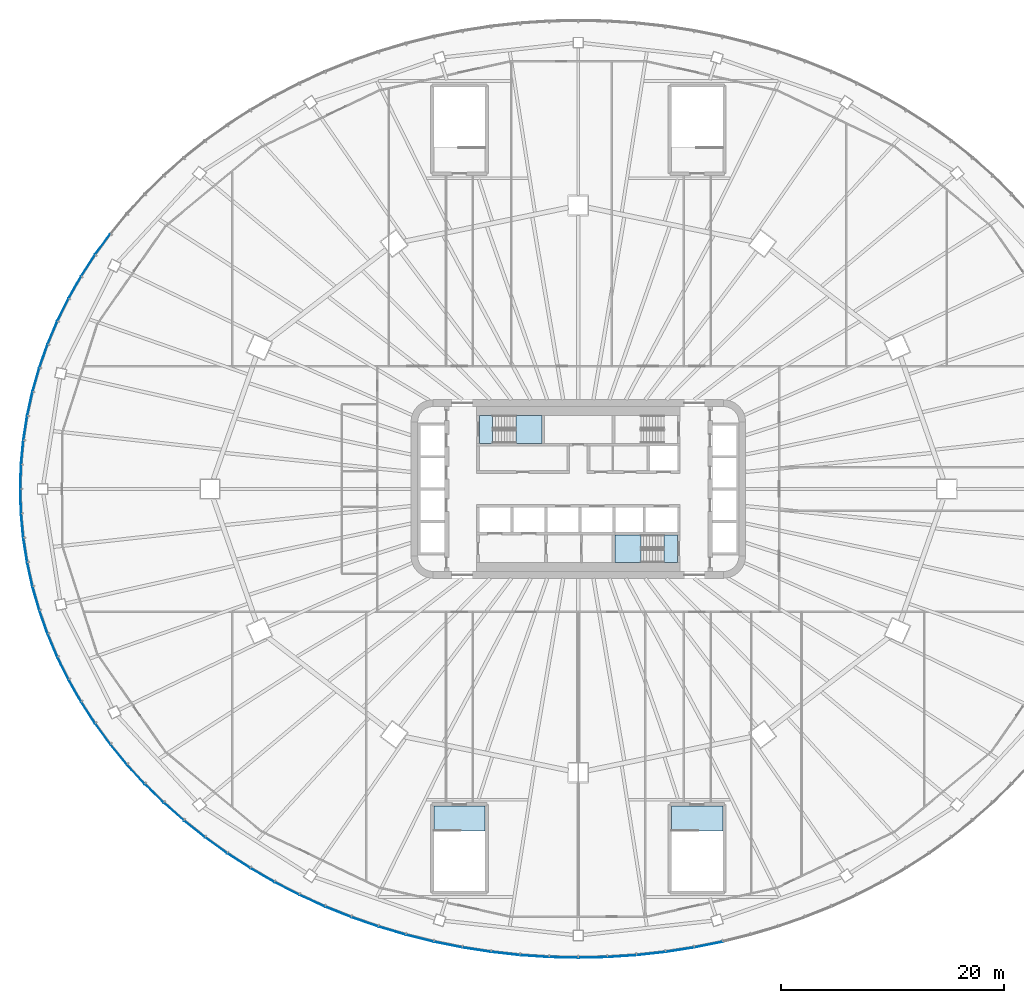
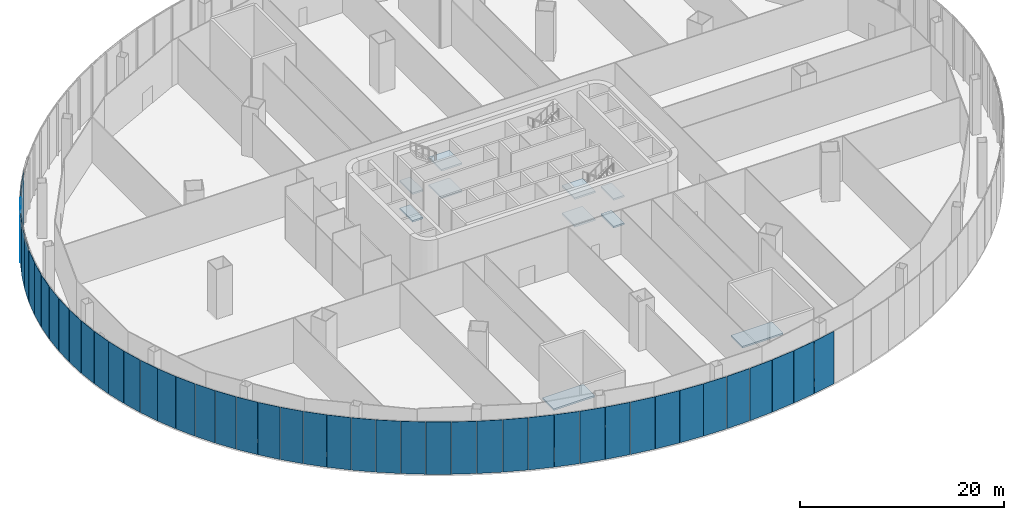
# One storey, part 16 of 33: 46 plates, 10 slabs, 12 elements without a shape of their own.
"""IFC4 building model written with IfcOpenShell, lengths in metres."""

from ifc_helpers import new_model, si_unit, direction, frame, origin, place, context, subcontext, project, spatial, polyline, outline, extrude, material, layer, layer_set, type_object, element, aggregate, save


model = new_model("IFC4")

# Units and contexts
model_context = context("Model", 3, precision=1e-05, world=origin(), true_north=direction((0.0, 1.0)))
body_context = subcontext(model_context, "Body", "Model", "MODEL_VIEW")
ifc_project = project(units=[si_unit("LENGTHUNIT", "METRE"), si_unit("AREAUNIT", "SQUARE_METRE"), si_unit("VOLUMEUNIT", "CUBIC_METRE"), si_unit("PLANEANGLEUNIT", "RADIAN"), si_unit("MASSUNIT", "GRAM", prefix="KILO")], contexts=[model_context])

# Site, building, storey
site_placement = place(None, origin())
site = spatial("IfcSite", under=ifc_project, at=site_placement, CompositionType="ELEMENT")
building_placement = place(site_placement, origin())
building = spatial("IfcBuilding", under=site, at=building_placement, Name="Sahrelin Media Tower", CompositionType="ELEMENT")
storey_placement = place(building_placement, frame((0.0, 0.0, 37.39990234375)))
storey = spatial("IfcBuildingStorey", under=building, at=storey_placement, Name="L05", CompositionType="ELEMENT", Elevation=37.39990234375)

# Curtain wall, plate
ifc_material_1 = material(Name="Champagne anodised aluminium 6063-T6", Category="aluminium")
ifc_layer_1 = layer(ifc_material_1, 0.14990234375)
ifc_layer_set_1 = layer_set([ifc_layer_1], Name="Podium ribbon curtain wall")
curtain_wall_type = type_object("IfcCurtainWallType", Name="Podium ribbon curtain wall", PredefinedType="NOTDEFINED", material=ifc_layer_set_1)
curtain_wall_1_placement = place(storey_placement, frame((-35.355224609375, 29.698486328125, 0.0), z_axis=(0.0, 0.0, 1.0), x_axis=(1.0, 0.0, 0.0)))
curtain_wall_1 = element("IfcCurtainWall", 1, at=curtain_wall_1_placement, inside=storey, type_object=curtain_wall_type, Name="L05:CW:L05-P09", PredefinedType="NOTDEFINED")
ifc_material_2 = material(Name="Clear low-iron glazing", Category="glass")
ifc_layer_2 = layer(ifc_material_2, 0.050048828125)
ifc_layer_set_2 = layer_set([ifc_layer_2], Name="Glazing panel 50 mm CW5")
plate_type = type_object("IfcPlateType", Name="Glazing panel 50 mm CW5", PredefinedType="CURTAIN_PANEL", material=ifc_layer_set_2)
plate_1_placement = place(storey_placement, frame((-41.97900390625, 22.84619140625, 0.0), z_axis=(-0.807851823107, 0.589385639376, 0.0), x_axis=(-0.589385639376, -0.807851823107, 0.0)))
plate_1 = element("IfcPlate", 2, at=plate_1_placement, type_object=plate_type, Name="L05:CWP5a:L05-P09", PredefinedType="CURTAIN_PANEL", context=body_context, shape_type="SweptSolid", body=[
    extrude(outline(polyline([(0.0, 0.0), (2.270751953125, 0.0), (2.270751953125, 6.25), (0.0, 6.25), (0.0, 0.0)])), origin(), (0.0, 0.0, -1.0), 0.050048828125),
])
aggregate(curtain_wall_1, [plate_1])

# Curtain wall, plates
curtain_wall_2_placement = place(storey_placement, frame((-43.30126953125, 21.0, 0.0), z_axis=(0.0, 0.0, 1.0), x_axis=(1.0, 0.0, 0.0)))
curtain_wall_2 = element("IfcCurtainWall", 3, at=curtain_wall_2_placement, inside=storey, type_object=curtain_wall_type, Name="L05:CW:L05-P10", PredefinedType="NOTDEFINED")
plate_2_placement = place(storey_placement, frame((-43.34521484375, 20.968994140625, 0.0), z_axis=(-0.8398261415, 0.542855461476, 0.0), x_axis=(-0.542855461476, -0.8398261415, 0.0)))
plate_2 = element("IfcPlate", 4, at=plate_2_placement, type_object=plate_type, Name="L05:CWP1a:L05-P10", PredefinedType="CURTAIN_PANEL", context=body_context, shape_type="SweptSolid", body=[
    extrude(outline(polyline([(0.0, 0.0), (2.2509765625, 0.0), (2.2509765625, 6.25), (0.0, 6.25), (0.0, 0.0)])), origin(), (0.0, 0.0, -1.0), 0.050048828125),
])
plate_3_placement = place(storey_placement, frame((-44.59228515625, 19.033935546875, 0.0), z_axis=(-0.869579307172, 0.493793305481, 0.0), x_axis=(-0.493793305481, -0.869579307172, 0.0)))
plate_3 = element("IfcPlate", 5, at=plate_3_placement, type_object=plate_type, Name="L05:CWP2a:L05-P10", PredefinedType="CURTAIN_PANEL", context=body_context, shape_type="SweptSolid", body=[
    extrude(outline(polyline([(0.0, 0.0), (2.232421875, 0.0), (2.232421875, 6.25), (0.0, 6.25), (0.0, 0.0)])), origin(), (0.0, 0.0, -1.0), 0.050048828125),
])
plate_4_placement = place(storey_placement, frame((-45.71728515625, 17.046875, 0.0), z_axis=(-0.896860688501, 0.442313130509, 0.0), x_axis=(-0.442313130509, -0.896860688501, 0.0)))
plate_4 = element("IfcPlate", 6, at=plate_4_placement, type_object=plate_type, Name="L05:CWP3a:L05-P10", PredefinedType="CURTAIN_PANEL", context=body_context, shape_type="SweptSolid", body=[
    extrude(outline(polyline([(0.0, 0.0), (2.215087890625, 0.0), (2.215087890625, 6.25), (0.0, 6.25), (0.0, 0.0)])), origin(), (0.0, 0.0, -1.0), 0.050048828125),
])
plate_5_placement = place(storey_placement, frame((-46.716796875, 15.01318359375, 0.0), z_axis=(-0.921443029492, 0.388513504785, 0.0), x_axis=(-0.388513504785, -0.921443029492, 0.0)))
plate_5 = element("IfcPlate", 7, at=plate_5_placement, type_object=plate_type, Name="L05:CWP4a:L05-P10", PredefinedType="CURTAIN_PANEL", context=body_context, shape_type="SweptSolid", body=[
    extrude(outline(polyline([(0.0, 0.0), (2.199462890625, 0.0), (2.199462890625, 6.25), (0.0, 6.25), (0.0, 0.0)])), origin(), (0.0, 0.0, -1.0), 0.050048828125),
])
plate_6_placement = place(storey_placement, frame((-47.58837890625, 12.938232421875, 0.0), z_axis=(-0.943078982839, 0.332568838179, 0.0), x_axis=(-0.332568838179, -0.943078982839, 0.0)))
plate_6 = element("IfcPlate", 8, at=plate_6_placement, type_object=plate_type, Name="L05:CWP5a:L05-P10", PredefinedType="CURTAIN_PANEL", context=body_context, shape_type="SweptSolid", body=[
    extrude(outline(polyline([(0.0, 0.0), (2.185546875, 0.0), (2.185546875, 6.25), (0.0, 6.25), (0.0, 0.0)])), origin(), (0.0, 0.0, -1.0), 0.050048828125),
])
aggregate(curtain_wall_2, [plate_2, plate_3, plate_4, plate_5, plate_6])

curtain_wall_3_placement = place(storey_placement, frame((-48.29638671875, 10.870361328125, 0.0), z_axis=(0.0, 0.0, 1.0), x_axis=(1.0, 0.0, 0.0)))
curtain_wall_3 = element("IfcCurtainWall", 9, at=curtain_wall_3_placement, inside=storey, type_object=curtain_wall_type, Name="L05:CW:L05-P11", PredefinedType="NOTDEFINED")
plate_7_placement = place(storey_placement, frame((-48.329345703125, 10.827880859375, 0.0), z_axis=(-0.961523947641, 0.274721127897, 0.0), x_axis=(-0.274721127897, -0.961523947641, 0.0)))
plate_7 = element("IfcPlate", 10, at=plate_7_placement, type_object=plate_type, Name="L05:CWP1a:L05-P11", PredefinedType="CURTAIN_PANEL", context=body_context, shape_type="SweptSolid", body=[
    extrude(outline(polyline([(0.0, 0.0), (2.173828125, 0.0), (2.173828125, 6.25), (0.0, 6.25), (0.0, 0.0)])), origin(), (0.0, 0.0, -1.0), 0.050048828125),
])
plate_8_placement = place(storey_placement, frame((-48.937744140625, 8.687744140625, 0.0), z_axis=(-0.976533544089, 0.215365357632, 0.0), x_axis=(-0.215365357632, -0.976533544089, 0.0)))
plate_8 = element("IfcPlate", 11, at=plate_8_placement, type_object=plate_type, Name="L05:CWP2a:L05-P11", PredefinedType="CURTAIN_PANEL", context=body_context, shape_type="SweptSolid", body=[
    extrude(outline(polyline([(0.0, 0.0), (2.1640625, 0.0), (2.1640625, 6.25), (0.0, 6.25), (0.0, 0.0)])), origin(), (0.0, 0.0, -1.0), 0.050048828125),
])
plate_9_placement = place(storey_placement, frame((-49.411865234375, 6.52392578125, 0.0), z_axis=(-0.987935832561, 0.154863781247, 0.0), x_axis=(-0.154863781247, -0.987935832561, 0.0)))
plate_9 = element("IfcPlate", 12, at=plate_9_placement, type_object=plate_type, Name="L05:CWP3a:L05-P11", PredefinedType="CURTAIN_PANEL", context=body_context, shape_type="SweptSolid", body=[
    extrude(outline(polyline([(0.0, 0.0), (2.15673828125, 0.0), (2.15673828125, 6.25), (0.0, 6.25), (0.0, 0.0)])), origin(), (0.0, 0.0, -1.0), 0.050048828125),
])
plate_10_placement = place(storey_placement, frame((-49.750732421875, 4.34228515625, 0.0), z_axis=(-0.995641143161, 0.093266896829, 0.0), x_axis=(-0.093266896829, -0.995641143161, 0.0)))
plate_10 = element("IfcPlate", 13, at=plate_10_placement, type_object=plate_type, Name="L05:CWP4a:L05-P11", PredefinedType="CURTAIN_PANEL", context=body_context, shape_type="SweptSolid", body=[
    extrude(outline(polyline([(0.0, 0.0), (2.151611328125, 0.0), (2.151611328125, 6.25), (0.0, 6.25), (0.0, 0.0)])), origin(), (0.0, 0.0, -1.0), 0.050048828125),
])
plate_11_placement = place(storey_placement, frame((-49.952880859375, 2.148681640625, 0.0), z_axis=(-0.999511965258, 0.031238298721, 0.0), x_axis=(-0.031238298721, -0.999511965258, 0.0)))
plate_11 = element("IfcPlate", 14, at=plate_11_placement, type_object=plate_type, Name="L05:CWP5a:L05-P11", PredefinedType="CURTAIN_PANEL", context=body_context, shape_type="SweptSolid", body=[
    extrude(outline(polyline([(0.0, 0.0), (2.149169921875, 0.0), (2.149169921875, 6.25), (0.0, 6.25), (0.0, 0.0)])), origin(), (0.0, 0.0, -1.0), 0.050048828125),
])
aggregate(curtain_wall_3, [plate_7, plate_8, plate_9, plate_10, plate_11])

curtain_wall_4_placement = place(storey_placement, frame((-50.0, 0.0, 0.0), z_axis=(0.0, 0.0, 1.0), x_axis=(1.0, 0.0, 0.0)))
curtain_wall_4 = element("IfcCurtainWall", 15, at=curtain_wall_4_placement, inside=storey, type_object=curtain_wall_type, Name="L05:CW:L05-P12", PredefinedType="NOTDEFINED")
plate_12_placement = place(storey_placement, frame((-50.018310546875, -0.050537109375, 0.0), z_axis=(-0.999515505573, -0.031124815153, 0.0), x_axis=(0.031124815153, -0.999515505573, 0.0)))
plate_12 = element("IfcPlate", 16, at=plate_12_placement, type_object=plate_type, Name="L05:CWP1a:L05-P12", PredefinedType="CURTAIN_PANEL", context=body_context, shape_type="SweptSolid", body=[
    extrude(outline(polyline([(0.0, 0.0), (2.149169921875, 0.0), (2.149169921875, 6.25), (0.0, 6.25), (0.0, 0.0)])), origin(), (0.0, 0.0, -1.0), 0.050048828125),
])
plate_13_placement = place(storey_placement, frame((-49.94677734375, -2.249755859375, 0.0), z_axis=(-0.995641143161, -0.093266896829, 0.0), x_axis=(0.093266896829, -0.995641143161, 0.0)))
plate_13 = element("IfcPlate", 17, at=plate_13_placement, type_object=plate_type, Name="L05:CWP2a:L05-P12", PredefinedType="CURTAIN_PANEL", context=body_context, shape_type="SweptSolid", body=[
    extrude(outline(polyline([(0.0, 0.0), (2.151611328125, 0.0), (2.151611328125, 6.25), (0.0, 6.25), (0.0, 0.0)])), origin(), (0.0, 0.0, -1.0), 0.050048828125),
])
plate_14_placement = place(storey_placement, frame((-49.738037109375, -4.442626953125, 0.0), z_axis=(-0.987953146465, -0.154753288784, 0.0), x_axis=(0.154753288784, -0.987953146465, 0.0)))
plate_14 = element("IfcPlate", 18, at=plate_14_placement, type_object=plate_type, Name="L05:CWP3a:L05-P12", PredefinedType="CURTAIN_PANEL", context=body_context, shape_type="SweptSolid", body=[
    extrude(outline(polyline([(0.0, 0.0), (2.156494140625, 0.0), (2.156494140625, 6.25), (0.0, 6.25), (0.0, 0.0)])), origin(), (0.0, 0.0, -1.0), 0.050048828125),
])
plate_15_placement = place(storey_placement, frame((-49.393310546875, -6.623291015625, 0.0), z_axis=(-0.976509812281, -0.21547293686, 0.0), x_axis=(0.21547293686, -0.976509812281, 0.0)))
plate_15 = element("IfcPlate", 19, at=plate_15_placement, type_object=plate_type, Name="L05:CWP4a:L05-P12", PredefinedType="CURTAIN_PANEL", context=body_context, shape_type="SweptSolid", body=[
    extrude(outline(polyline([(0.0, 0.0), (2.1640625, 0.0), (2.1640625, 6.25), (0.0, 6.25), (0.0, 0.0)])), origin(), (0.0, 0.0, -1.0), 0.050048828125),
])
plate_16_placement = place(storey_placement, frame((-48.912841796875, -8.785888671875, 0.0), z_axis=(-0.961494274984, -0.274824960972, 0.0), x_axis=(0.274824960972, -0.961494274984, 0.0)))
plate_16 = element("IfcPlate", 20, at=plate_16_placement, type_object=plate_type, Name="L05:CWP5a:L05-P12", PredefinedType="CURTAIN_PANEL", context=body_context, shape_type="SweptSolid", body=[
    extrude(outline(polyline([(0.0, 0.0), (2.173828125, 0.0), (2.173828125, 6.25), (0.0, 6.25), (0.0, 0.0)])), origin(), (0.0, 0.0, -1.0), 0.050048828125),
])
aggregate(curtain_wall_4, [plate_12, plate_13, plate_14, plate_15, plate_16])

curtain_wall_5_placement = place(storey_placement, frame((-48.29638671875, -10.870361328125, 0.0), z_axis=(0.0, 0.0, 1.0), x_axis=(1.0, 0.0, 0.0)))
curtain_wall_5 = element("IfcCurtainWall", 21, at=curtain_wall_5_placement, inside=storey, type_object=curtain_wall_type, Name="L05:CW:L05-P13", PredefinedType="NOTDEFINED")
plate_17_placement = place(storey_placement, frame((-48.298583984375, -10.92431640625, 0.0), z_axis=(-0.943078982839, -0.332568838179, 0.0), x_axis=(0.332568838179, -0.943078982839, 0.0)))
plate_17 = element("IfcPlate", 22, at=plate_17_placement, type_object=plate_type, Name="L05:CWP1a:L05-P13", PredefinedType="CURTAIN_PANEL", context=body_context, shape_type="SweptSolid", body=[
    extrude(outline(polyline([(0.0, 0.0), (2.185546875, 0.0), (2.185546875, 6.25), (0.0, 6.25), (0.0, 0.0)])), origin(), (0.0, 0.0, -1.0), 0.050048828125),
])
plate_18_placement = place(storey_placement, frame((-47.5517578125, -13.032470703125, 0.0), z_axis=(-0.921499510247, -0.388379521363, 0.0), x_axis=(0.388379521363, -0.921499510247, 0.0)))
plate_18 = element("IfcPlate", 23, at=plate_18_placement, type_object=plate_type, Name="L05:CWP2a:L05-P13", PredefinedType="CURTAIN_PANEL", context=body_context, shape_type="SweptSolid", body=[
    extrude(outline(polyline([(0.0, 0.0), (2.199462890625, 0.0), (2.199462890625, 6.25), (0.0, 6.25), (0.0, 0.0)])), origin(), (0.0, 0.0, -1.0), 0.050048828125),
])
plate_19_placement = place(storey_placement, frame((-46.6748046875, -15.105224609375, 0.0), z_axis=(-0.896904409808, -0.442224467513, 0.0), x_axis=(0.442224467513, -0.896904409808, 0.0)))
plate_19 = element("IfcPlate", 24, at=plate_19_placement, type_object=plate_type, Name="L05:CWP3a:L05-P13", PredefinedType="CURTAIN_PANEL", context=body_context, shape_type="SweptSolid", body=[
    extrude(outline(polyline([(0.0, 0.0), (2.21484375, 0.0), (2.21484375, 6.25), (0.0, 6.25), (0.0, 0.0)])), origin(), (0.0, 0.0, -1.0), 0.050048828125),
])
plate_20_placement = place(storey_placement, frame((-45.669921875, -17.13623046875, 0.0), z_axis=(-0.869579307172, -0.493793305481, 0.0), x_axis=(0.493793305481, -0.869579307172, 0.0)))
plate_20 = element("IfcPlate", 25, at=plate_20_placement, type_object=plate_type, Name="L05:CWP4a:L05-P13", PredefinedType="CURTAIN_PANEL", context=body_context, shape_type="SweptSolid", body=[
    extrude(outline(polyline([(0.0, 0.0), (2.232421875, 0.0), (2.232421875, 6.25), (0.0, 6.25), (0.0, 0.0)])), origin(), (0.0, 0.0, -1.0), 0.050048828125),
])
plate_21_placement = place(storey_placement, frame((-44.5400390625, -19.120361328125, 0.0), z_axis=(-0.839858100208, -0.542806016469, 0.0), x_axis=(0.542806016469, -0.839858100208, 0.0)))
plate_21 = element("IfcPlate", 26, at=plate_21_placement, type_object=plate_type, Name="L05:CWP5a:L05-P13", PredefinedType="CURTAIN_PANEL", context=body_context, shape_type="SweptSolid", body=[
    extrude(outline(polyline([(0.0, 0.0), (2.251220703125, 0.0), (2.251220703125, 6.25), (0.0, 6.25), (0.0, 0.0)])), origin(), (0.0, 0.0, -1.0), 0.050048828125),
])
aggregate(curtain_wall_5, [plate_17, plate_18, plate_19, plate_20, plate_21])

curtain_wall_6_placement = place(storey_placement, frame((-43.30126953125, -21.0, 0.0), z_axis=(0.0, 0.0, 1.0), x_axis=(1.0, 0.0, 0.0)))
curtain_wall_6 = element("IfcCurtainWall", 27, at=curtain_wall_6_placement, inside=storey, type_object=curtain_wall_type, Name="L05:CW:L05-P14", PredefinedType="NOTDEFINED")
plate_22_placement = place(storey_placement, frame((-43.2880859375, -21.05224609375, 0.0), z_axis=(-0.807851823107, -0.589385639376, 0.0), x_axis=(0.589385639376, -0.807851823107, 0.0)))
plate_22 = element("IfcPlate", 28, at=plate_22_placement, type_object=plate_type, Name="L05:CWP1a:L05-P14", PredefinedType="CURTAIN_PANEL", context=body_context, shape_type="SweptSolid", body=[
    extrude(outline(polyline([(0.0, 0.0), (2.270751953125, 0.0), (2.270751953125, 6.25), (0.0, 6.25), (0.0, 0.0)])), origin(), (0.0, 0.0, -1.0), 0.050048828125),
])
plate_23_placement = place(storey_placement, frame((-41.917236328125, -22.92626953125, 0.0), z_axis=(-0.773971540698, -0.633220383586, 0.0), x_axis=(0.633220383586, -0.773971540698, 0.0)))
plate_23 = element("IfcPlate", 29, at=plate_23_placement, type_object=plate_type, Name="L05:CWP2a:L05-P14", PredefinedType="CURTAIN_PANEL", context=body_context, shape_type="SweptSolid", body=[
    extrude(outline(polyline([(0.0, 0.0), (2.291259765625, 0.0), (2.291259765625, 6.25), (0.0, 6.25), (0.0, 0.0)])), origin(), (0.0, 0.0, -1.0), 0.050048828125),
])
plate_24_placement = place(storey_placement, frame((-40.431884765625, -24.7373046875, 0.0), z_axis=(-0.738366649953, -0.674399503438, 0.0), x_axis=(0.674399503438, -0.738366649953, 0.0)))
plate_24 = element("IfcPlate", 30, at=plate_24_placement, type_object=plate_type, Name="L05:CWP3a:L05-P14", PredefinedType="CURTAIN_PANEL", context=body_context, shape_type="SweptSolid", body=[
    extrude(outline(polyline([(0.0, 0.0), (2.31298828125, 0.0), (2.31298828125, 6.25), (0.0, 6.25), (0.0, 0.0)])), origin(), (0.0, 0.0, -1.0), 0.050048828125),
])
plate_25_placement = place(storey_placement, frame((-38.835693359375, -26.480712890625, 0.0), z_axis=(-0.701226778189, -0.712938290142, 0.0), x_axis=(0.712938290142, -0.701226778189, 0.0)))
plate_25 = element("IfcPlate", 31, at=plate_25_placement, type_object=plate_type, Name="L05:CWP4a:L05-P14", PredefinedType="CURTAIN_PANEL", context=body_context, shape_type="SweptSolid", body=[
    extrude(outline(polyline([(0.0, 0.0), (2.334716796875, 0.0), (2.334716796875, 6.25), (0.0, 6.25), (0.0, 0.0)])), origin(), (0.0, 0.0, -1.0), 0.050048828125),
])
plate_26_placement = place(storey_placement, frame((-37.133056640625, -28.151611328125, 0.0), z_axis=(-0.662799646717, -0.74879678706, 0.0), x_axis=(0.74879678706, -0.662799646717, 0.0)))
plate_26 = element("IfcPlate", 32, at=plate_26_placement, type_object=plate_type, Name="L05:CWP5a:L05-P14", PredefinedType="CURTAIN_PANEL", context=body_context, shape_type="SweptSolid", body=[
    extrude(outline(polyline([(0.0, 0.0), (2.356201171875, 0.0), (2.356201171875, 6.25), (0.0, 6.25), (0.0, 0.0)])), origin(), (0.0, 0.0, -1.0), 0.050048828125),
])
aggregate(curtain_wall_6, [plate_22, plate_23, plate_24, plate_25, plate_26])

curtain_wall_7_placement = place(storey_placement, frame((-35.355224609375, -29.698486328125, 0.0), z_axis=(0.0, 0.0, 1.0), x_axis=(1.0, 0.0, 0.0)))
curtain_wall_7 = element("IfcCurtainWall", 33, at=curtain_wall_7_placement, inside=storey, type_object=curtain_wall_type, Name="L05:CW:L05-P15", PredefinedType="NOTDEFINED")
plate_27_placement = place(storey_placement, frame((-35.32861328125, -29.745361328125, 0.0), z_axis=(-0.62334202437, -0.781949308238, 0.0), x_axis=(0.781949308238, -0.62334202437, 0.0)))
plate_27 = element("IfcPlate", 34, at=plate_27_placement, type_object=plate_type, Name="L05:CWP1a:L05-P15", PredefinedType="CURTAIN_PANEL", context=body_context, shape_type="SweptSolid", body=[
    extrude(outline(polyline([(0.0, 0.0), (2.378173828125, 0.0), (2.378173828125, 6.25), (0.0, 6.25), (0.0, 0.0)])), origin(), (0.0, 0.0, -1.0), 0.050048828125),
])
plate_28_placement = place(storey_placement, frame((-33.427490234375, -31.257568359375, 0.0), z_axis=(-0.582969203384, -0.812494250999, 0.0), x_axis=(0.812494250999, -0.582969203384, 0.0)))
plate_28 = element("IfcPlate", 35, at=plate_28_placement, type_object=plate_type, Name="L05:CWP2a:L05-P15", PredefinedType="CURTAIN_PANEL", context=body_context, shape_type="SweptSolid", body=[
    extrude(outline(polyline([(0.0, 0.0), (2.399658203125, 0.0), (2.399658203125, 6.25), (0.0, 6.25), (0.0, 0.0)])), origin(), (0.0, 0.0, -1.0), 0.050048828125),
])
plate_29_placement = place(storey_placement, frame((-31.434814453125, -32.68408203125, 0.0), z_axis=(-0.541786842033, -0.840515923585, 0.0), x_axis=(0.840515923585, -0.541786842033, 0.0)))
plate_29 = element("IfcPlate", 36, at=plate_29_placement, type_object=plate_type, Name="L05:CWP3a:L05-P15", PredefinedType="CURTAIN_PANEL", context=body_context, shape_type="SweptSolid", body=[
    extrude(outline(polyline([(0.0, 0.0), (2.420654296875, 0.0), (2.420654296875, 6.25), (0.0, 6.25), (0.0, 0.0)])), origin(), (0.0, 0.0, -1.0), 0.050048828125),
])
plate_30_placement = place(storey_placement, frame((-29.35595703125, -34.02099609375, 0.0), z_axis=(-0.499979298005, -0.866037355757, 0.0), x_axis=(0.866037355757, -0.499979298005, 0.0)))
plate_30 = element("IfcPlate", 37, at=plate_30_placement, type_object=plate_type, Name="L05:CWP4a:L05-P15", PredefinedType="CURTAIN_PANEL", context=body_context, shape_type="SweptSolid", body=[
    extrude(outline(polyline([(0.0, 0.0), (2.44091796875, 0.0), (2.44091796875, 6.25), (0.0, 6.25), (0.0, 0.0)])), origin(), (0.0, 0.0, -1.0), 0.050048828125),
])
plate_31_placement = place(storey_placement, frame((-27.19677734375, -35.264892578125, 0.0), z_axis=(-0.457661890487, -0.88912630936, 0.0), x_axis=(0.88912630936, -0.457661890487, 0.0)))
plate_31 = element("IfcPlate", 38, at=plate_31_placement, type_object=plate_type, Name="L05:CWP5a:L05-P15", PredefinedType="CURTAIN_PANEL", context=body_context, shape_type="SweptSolid", body=[
    extrude(outline(polyline([(0.0, 0.0), (2.460205078125, 0.0), (2.460205078125, 6.25), (0.0, 6.25), (0.0, 0.0)])), origin(), (0.0, 0.0, -1.0), 0.050048828125),
])
aggregate(curtain_wall_7, [plate_27, plate_28, plate_29, plate_30, plate_31])

curtain_wall_8_placement = place(storey_placement, frame((-25.0, -36.373046875, 0.0), z_axis=(0.0, 0.0, 1.0), x_axis=(1.0, 0.0, 0.0)))
curtain_wall_8 = element("IfcCurtainWall", 39, at=curtain_wall_8_placement, inside=storey, type_object=curtain_wall_type, Name="L05:CW:L05-P16", PredefinedType="NOTDEFINED")
plate_32_placement = place(storey_placement, frame((-24.962890625, -36.412109375, 0.0), z_axis=(-0.414893598906, -0.909869936632, 0.0), x_axis=(0.909869936632, -0.414893598906, 0.0)))
plate_32 = element("IfcPlate", 40, at=plate_32_placement, type_object=plate_type, Name="L05:CWP1a:L05-P16", PredefinedType="CURTAIN_PANEL", context=body_context, shape_type="SweptSolid", body=[
    extrude(outline(polyline([(0.0, 0.0), (2.478515625, 0.0), (2.478515625, 6.25), (0.0, 6.25), (0.0, 0.0)])), origin(), (0.0, 0.0, -1.0), 0.050048828125),
])
plate_33_placement = place(storey_placement, frame((-22.660400390625, -37.45947265625, 0.0), z_axis=(-0.371913588766, -0.928267355071, 0.0), x_axis=(0.928267355071, -0.371913588766, 0.0)))
plate_33 = element("IfcPlate", 41, at=plate_33_placement, type_object=plate_type, Name="L05:CWP2a:L05-P16", PredefinedType="CURTAIN_PANEL", context=body_context, shape_type="SweptSolid", body=[
    extrude(outline(polyline([(0.0, 0.0), (2.4951171875, 0.0), (2.4951171875, 6.25), (0.0, 6.25), (0.0, 0.0)])), origin(), (0.0, 0.0, -1.0), 0.050048828125),
])
plate_34_placement = place(storey_placement, frame((-20.296142578125, -38.404296875, 0.0), z_axis=(-0.328599832248, -0.944469242615, 0.0), x_axis=(0.944469242615, -0.328599832248, 0.0)))
plate_34 = element("IfcPlate", 42, at=plate_34_placement, type_object=plate_type, Name="L05:CWP3a:L05-P16", PredefinedType="CURTAIN_PANEL", context=body_context, shape_type="SweptSolid", body=[
    extrude(outline(polyline([(0.0, 0.0), (2.510498046875, 0.0), (2.510498046875, 6.25), (0.0, 6.25), (0.0, 0.0)])), origin(), (0.0, 0.0, -1.0), 0.050048828125),
])
plate_35_placement = place(storey_placement, frame((-17.876220703125, -39.243896484375, 0.0), z_axis=(-0.285102349758, -0.958497078849, 0.0), x_axis=(0.958497078849, -0.285102349758, 0.0)))
plate_35 = element("IfcPlate", 43, at=plate_35_placement, type_object=plate_type, Name="L05:CWP4a:L05-P16", PredefinedType="CURTAIN_PANEL", context=body_context, shape_type="SweptSolid", body=[
    extrude(outline(polyline([(0.0, 0.0), (2.5244140625, 0.0), (2.5244140625, 6.25), (0.0, 6.25), (0.0, 0.0)])), origin(), (0.0, 0.0, -1.0), 0.050048828125),
])
plate_36_placement = place(storey_placement, frame((-15.406982421875, -39.975830078125, 0.0), z_axis=(-0.241516267963, -0.970396770558, 0.0), x_axis=(0.970396770558, -0.241516267963, 0.0)))
plate_36 = element("IfcPlate", 44, at=plate_36_placement, type_object=plate_type, Name="L05:CWP5a:L05-P16", PredefinedType="CURTAIN_PANEL", context=body_context, shape_type="SweptSolid", body=[
    extrude(outline(polyline([(0.0, 0.0), (2.536376953125, 0.0), (2.536376953125, 6.25), (0.0, 6.25), (0.0, 0.0)])), origin(), (0.0, 0.0, -1.0), 0.050048828125),
])
aggregate(curtain_wall_8, [plate_32, plate_33, plate_34, plate_35, plate_36])

curtain_wall_9_placement = place(storey_placement, frame((-12.94091796875, -40.56884765625, 0.0), z_axis=(0.0, 0.0, 1.0), x_axis=(1.0, 0.0, 0.0)))
curtain_wall_9 = element("IfcCurtainWall", 45, at=curtain_wall_9_placement, inside=storey, type_object=curtain_wall_type, Name="L05:CW:L05-P17", PredefinedType="NOTDEFINED")
plate_37_placement = place(storey_placement, frame((-12.89599609375, -40.598388671875, 0.0), z_axis=(-0.197682982877, -0.980266003838, 0.0), x_axis=(0.980266003838, -0.197682982877, 0.0)))
plate_37 = element("IfcPlate", 46, at=plate_37_placement, type_object=plate_type, Name="L05:CWP1a:L05-P17", PredefinedType="CURTAIN_PANEL", context=body_context, shape_type="SweptSolid", body=[
    extrude(outline(polyline([(0.0, 0.0), (2.546630859375, 0.0), (2.546630859375, 6.25), (0.0, 6.25), (0.0, 0.0)])), origin(), (0.0, 0.0, -1.0), 0.050048828125),
])
plate_38_placement = place(storey_placement, frame((-10.349365234375, -41.109619140625, 0.0), z_axis=(-0.153837616307, -0.988096142999, 0.0), x_axis=(0.988096142999, -0.153837616307, 0.0)))
plate_38 = element("IfcPlate", 47, at=plate_38_placement, type_object=plate_type, Name="L05:CWP2a:L05-P17", PredefinedType="CURTAIN_PANEL", context=body_context, shape_type="SweptSolid", body=[
    extrude(outline(polyline([(0.0, 0.0), (2.55517578125, 0.0), (2.55517578125, 6.25), (0.0, 6.25), (0.0, 0.0)])), origin(), (0.0, 0.0, -1.0), 0.050048828125),
])
plate_39_placement = place(storey_placement, frame((-7.774169921875, -41.50830078125, 0.0), z_axis=(-0.109908392122, -0.9939417213, 0.0), x_axis=(0.9939417213, -0.109908392122, 0.0)))
plate_39 = element("IfcPlate", 48, at=plate_39_placement, type_object=plate_type, Name="L05:CWP3a:L05-P17", PredefinedType="CURTAIN_PANEL", context=body_context, shape_type="SweptSolid", body=[
    extrude(outline(polyline([(0.0, 0.0), (2.561279296875, 0.0), (2.561279296875, 6.25), (0.0, 6.25), (0.0, 0.0)])), origin(), (0.0, 0.0, -1.0), 0.050048828125),
])
plate_40_placement = place(storey_placement, frame((-5.177734375, -41.793212890625, 0.0), z_axis=(-0.065956789275, -0.997822480178, 0.0), x_axis=(0.997822480178, -0.065956789275, 0.0)))
plate_40 = element("IfcPlate", 49, at=plate_40_placement, type_object=plate_type, Name="L05:CWP4a:L05-P17", PredefinedType="CURTAIN_PANEL", context=body_context, shape_type="SweptSolid", body=[
    extrude(outline(polyline([(0.0, 0.0), (2.565185546875, 0.0), (2.565185546875, 6.25), (0.0, 6.25), (0.0, 0.0)])), origin(), (0.0, 0.0, -1.0), 0.050048828125),
])
plate_41_placement = place(storey_placement, frame((-2.5673828125, -41.96337890625, 0.0), z_axis=(-0.022060447041, -0.999756638726, 0.0), x_axis=(0.999756638726, -0.022060447041, 0.0)))
plate_41 = element("IfcPlate", 50, at=plate_41_placement, type_object=plate_type, Name="L05:CWP5a:L05-P17", PredefinedType="CURTAIN_PANEL", context=body_context, shape_type="SweptSolid", body=[
    extrude(outline(polyline([(0.0, 0.0), (2.567626953125, 0.0), (2.567626953125, 6.25), (0.0, 6.25), (0.0, 0.0)])), origin(), (0.0, 0.0, -1.0), 0.050048828125),
])
aggregate(curtain_wall_9, [plate_37, plate_38, plate_39, plate_40, plate_41])

curtain_wall_10_placement = place(storey_placement, frame((0.0, -42.0, 0.0), z_axis=(0.0, 0.0, 1.0), x_axis=(1.0, 0.0, 0.0)))
curtain_wall_10 = element("IfcCurtainWall", 51, at=curtain_wall_10_placement, inside=storey, type_object=curtain_wall_type, Name="L05:CW:L05-P18", PredefinedType="NOTDEFINED")
plate_42_placement = place(storey_placement, frame((0.05029296875, -42.018798828125, 0.0), z_axis=(0.021965404884, -0.999758731389, 0.0), x_axis=(0.999758731389, 0.021965404884, 0.0)))
plate_42 = element("IfcPlate", 52, at=plate_42_placement, type_object=plate_type, Name="L05:CWP1a:L05-P18", PredefinedType="CURTAIN_PANEL", context=body_context, shape_type="SweptSolid", body=[
    extrude(outline(polyline([(0.0, 0.0), (2.567626953125, 0.0), (2.567626953125, 6.25), (0.0, 6.25), (0.0, 0.0)])), origin(), (0.0, 0.0, -1.0), 0.050048828125),
])
plate_43_placement = place(storey_placement, frame((2.66796875, -41.958984375, 0.0), z_axis=(0.065950526052, -0.997822894162, 0.0), x_axis=(0.997822894162, 0.065950526052, 0.0)))
plate_43 = element("IfcPlate", 53, at=plate_43_placement, type_object=plate_type, Name="L05:CWP2a:L05-P18", PredefinedType="CURTAIN_PANEL", context=body_context, shape_type="SweptSolid", body=[
    extrude(outline(polyline([(0.0, 0.0), (2.5654296875, 0.0), (2.5654296875, 6.25), (0.0, 6.25), (0.0, 0.0)])), origin(), (0.0, 0.0, -1.0), 0.050048828125),
])
plate_44_placement = place(storey_placement, frame((5.2783203125, -41.7841796875, 0.0), z_axis=(0.109908392122, -0.9939417213, 0.0), x_axis=(0.9939417213, 0.109908392122, 0.0)))
plate_44 = element("IfcPlate", 54, at=plate_44_placement, type_object=plate_type, Name="L05:CWP3a:L05-P18", PredefinedType="CURTAIN_PANEL", context=body_context, shape_type="SweptSolid", body=[
    extrude(outline(polyline([(0.0, 0.0), (2.561279296875, 0.0), (2.561279296875, 6.25), (0.0, 6.25), (0.0, 0.0)])), origin(), (0.0, 0.0, -1.0), 0.050048828125),
])
plate_45_placement = place(storey_placement, frame((7.874267578125, -41.4951171875, 0.0), z_axis=(0.153852142069, -0.98809388136, 0.0), x_axis=(0.98809388136, 0.153852142069, 0.0)))
plate_45 = element("IfcPlate", 55, at=plate_45_placement, type_object=plate_type, Name="L05:CWP4a:L05-P18", PredefinedType="CURTAIN_PANEL", context=body_context, shape_type="SweptSolid", body=[
    extrude(outline(polyline([(0.0, 0.0), (2.554931640625, 0.0), (2.554931640625, 6.25), (0.0, 6.25), (0.0, 0.0)])), origin(), (0.0, 0.0, -1.0), 0.050048828125),
])
plate_46_placement = place(storey_placement, frame((10.448486328125, -41.091796875, 0.0), z_axis=(0.197664406805, -0.980269749754, 0.0), x_axis=(0.980269749754, 0.197664406805, 0.0)))
plate_46 = element("IfcPlate", 56, at=plate_46_placement, type_object=plate_type, Name="L05:CWP5a:L05-P18", PredefinedType="CURTAIN_PANEL", context=body_context, shape_type="SweptSolid", body=[
    extrude(outline(polyline([(0.0, 0.0), (2.546875, 0.0), (2.546875, 6.25), (0.0, 6.25), (0.0, 0.0)])), origin(), (0.0, 0.0, -1.0), 0.050048828125),
])
aggregate(curtain_wall_10, [plate_42, plate_43, plate_44, plate_45, plate_46])

# Stair, slabs
ifc_material_3 = material(Name="Concrete C40/50", Category="concrete")
stair_type = type_object("IfcStairType", Name="Exit stair 1200", PredefinedType="HALF_TURN_STAIR", material=ifc_material_3)
placement_1 = place(storey_placement, origin())
stair_1 = element("IfcStair", 57, at=placement_1, inside=storey, type_object=stair_type, Name="L05 Exit stair ST1", PredefinedType="HALF_TURN_STAIR")
ifc_layer_3 = layer(ifc_material_3, 0.199951171875)
ifc_layer_set_3 = layer_set([ifc_layer_3], Name="Stair landing 200")
slab_type = type_object("IfcSlabType", Name="Stair landing 200", PredefinedType="LANDING", material=ifc_layer_set_3)
placement_2 = place(storey_placement, frame((0.0, 0.0, 1.4501953125)))
slab_1 = element("IfcSlab", 58, at=placement_2, type_object=slab_type, Name="ST1 landing 1", PredefinedType="LANDING", context=body_context, shape_type="SweptSolid", body=[
    extrude(outline(polyline([(-5.594970703125, 4.10009765625), (-3.27490234375, 4.10009765625), (-3.27490234375, 6.60009765625), (-5.594970703125, 6.60009765625), (-5.594970703125, 4.10009765625)])), origin(), (0.0, 0.0, 1.0), 0.199951171875),
])
placement_3 = place(storey_placement, frame((0.0, 0.0, 3.10009765625)))
slab_2 = element("IfcSlab", 59, at=placement_3, type_object=slab_type, Name="ST1 landing 2", PredefinedType="LANDING", context=body_context, shape_type="SweptSolid", body=[
    extrude(outline(polyline([(-8.875, 4.10009765625), (-7.675048828125, 4.10009765625), (-7.675048828125, 6.60009765625), (-8.875, 6.60009765625), (-8.875, 4.10009765625)])), origin(), (0.0, 0.0, 1.0), 0.199951171875),
])
placement_4 = place(storey_placement, frame((0.0, 0.0, 4.75)))
slab_3 = element("IfcSlab", 60, at=placement_4, type_object=slab_type, Name="ST1 landing 3", PredefinedType="LANDING", context=body_context, shape_type="SweptSolid", body=[
    extrude(outline(polyline([(-5.594970703125, 4.10009765625), (-3.27490234375, 4.10009765625), (-3.27490234375, 6.60009765625), (-5.594970703125, 6.60009765625), (-5.594970703125, 4.10009765625)])), origin(), (0.0, 0.0, 1.0), 0.2001953125),
])
placement_5 = place(storey_placement, frame((0.0, 0.0, -0.199951171875)))
slab_4 = element("IfcSlab", 61, at=placement_5, type_object=slab_type, Name="ST1 landing 4", PredefinedType="LANDING", context=body_context, shape_type="SweptSolid", body=[
    extrude(outline(polyline([(-8.875, 4.10009765625), (-7.675048828125, 4.10009765625), (-7.675048828125, 6.60009765625), (-8.875, 6.60009765625), (-8.875, 4.10009765625)])), origin(), (0.0, 0.0, 1.0), 0.199951171875),
])
aggregate(stair_1, [slab_1, slab_2, slab_3, slab_4])

stair_2 = element("IfcStair", 62, at=placement_1, inside=storey, type_object=stair_type, Name="L05 Exit stair ST2", PredefinedType="HALF_TURN_STAIR")
slab_5 = element("IfcSlab", 63, at=placement_2, type_object=slab_type, Name="ST2 landing 1", PredefinedType="LANDING", context=body_context, shape_type="SweptSolid", body=[
    extrude(outline(polyline([(5.594970703125, -4.10009765625), (3.27490234375, -4.10009765625), (3.27490234375, -6.60009765625), (5.594970703125, -6.60009765625), (5.594970703125, -4.10009765625)])), origin(), (0.0, 0.0, 1.0), 0.199951171875),
])
slab_6 = element("IfcSlab", 64, at=placement_3, type_object=slab_type, Name="ST2 landing 2", PredefinedType="LANDING", context=body_context, shape_type="SweptSolid", body=[
    extrude(outline(polyline([(8.875, -4.10009765625), (7.675048828125, -4.10009765625), (7.675048828125, -6.60009765625), (8.875, -6.60009765625), (8.875, -4.10009765625)])), origin(), (0.0, 0.0, 1.0), 0.199951171875),
])
slab_7 = element("IfcSlab", 65, at=placement_4, type_object=slab_type, Name="ST2 landing 3", PredefinedType="LANDING", context=body_context, shape_type="SweptSolid", body=[
    extrude(outline(polyline([(5.594970703125, -4.10009765625), (3.27490234375, -4.10009765625), (3.27490234375, -6.60009765625), (5.594970703125, -6.60009765625), (5.594970703125, -4.10009765625)])), origin(), (0.0, 0.0, 1.0), 0.2001953125),
])
slab_8 = element("IfcSlab", 66, at=placement_5, type_object=slab_type, Name="ST2 landing 4", PredefinedType="LANDING", context=body_context, shape_type="SweptSolid", body=[
    extrude(outline(polyline([(8.875, -4.10009765625), (7.675048828125, -4.10009765625), (7.675048828125, -6.60009765625), (8.875, -6.60009765625), (8.875, -4.10009765625)])), origin(), (0.0, 0.0, 1.0), 0.199951171875),
])
aggregate(stair_2, [slab_5, slab_6, slab_7, slab_8])

# Slabs
element("IfcSlab", 67, at=placement_5, inside=storey, type_object=slab_type, Name="PS3 L05 floor landing", PredefinedType="LANDING", context=body_context, shape_type="SweptSolid", body=[
    extrude(outline(polyline([(-12.949951171875, -28.39990234375), (-12.949951171875, -30.625), (-8.35009765625, -30.625), (-8.35009765625, -28.39990234375), (-12.949951171875, -28.39990234375)])), origin(), (0.0, 0.0, 1.0), 0.199951171875),
])
element("IfcSlab", 68, at=placement_5, inside=storey, type_object=slab_type, Name="PS4 L05 floor landing", PredefinedType="LANDING", context=body_context, shape_type="SweptSolid", body=[
    extrude(outline(polyline([(8.35009765625, -28.39990234375), (8.35009765625, -30.625), (12.949951171875, -30.625), (12.949951171875, -28.39990234375), (8.35009765625, -28.39990234375)])), origin(), (0.0, 0.0, 1.0), 0.199951171875),
])

save(model, "model.ifc")
